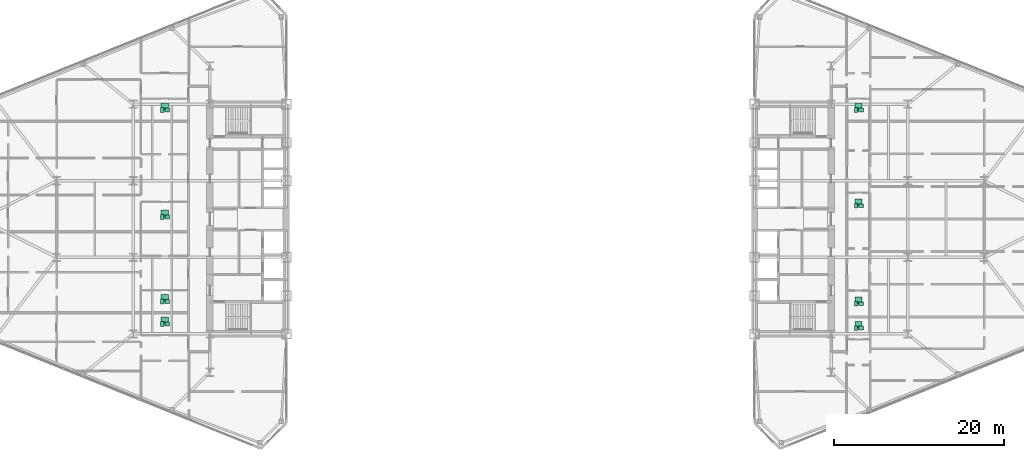
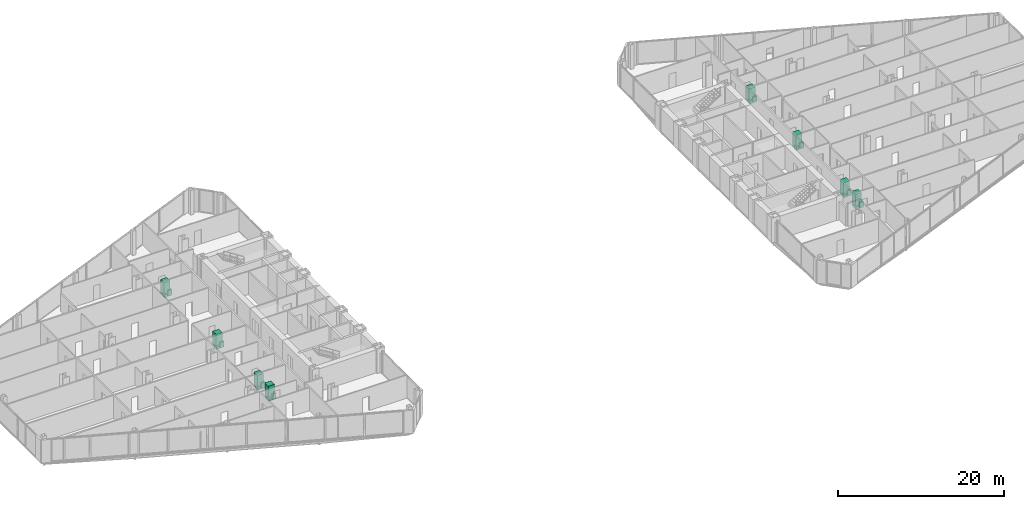
# One storey, part 25 of 25: 24 sanitary terminals.
"""IFC4 building model written with IfcOpenShell, lengths in metres."""

from ifc_helpers import new_model, si_unit, direction, frame, origin, origin_2d, place, context, subcontext, project, spatial, rectangle, extrude, source, transform, mapped, material, type_object, type_shapes, element, save


model = new_model("IFC4")

# Units and contexts
model_context = context("Model", 3, precision=1e-05, world=origin(), true_north=direction((0.0, 1.0)))
body_context = subcontext(model_context, "Body", "Model", "MODEL_VIEW")
ifc_project = project(units=[si_unit("LENGTHUNIT", "METRE"), si_unit("AREAUNIT", "SQUARE_METRE"), si_unit("VOLUMEUNIT", "CUBIC_METRE"), si_unit("PLANEANGLEUNIT", "RADIAN"), si_unit("MASSUNIT", "GRAM", prefix="KILO")], contexts=[model_context])

# Site, building, storey
site_placement = place(None, origin())
site = spatial("IfcSite", under=ifc_project, at=site_placement, CompositionType="ELEMENT")
building_placement = place(site_placement, origin())
building = spatial("IfcBuilding", under=site, at=building_placement, Name="Seokmaru Belvedere", CompositionType="ELEMENT")
storey_placement = place(building_placement, frame((0.0, 0.0, 40.5)))
storey = spatial("IfcBuildingStorey", under=building, at=storey_placement, Name="L10", CompositionType="ELEMENT", Elevation=40.5)

# Sanitary terminals
ifc_material_1 = material(Name="Vitreous China Sanitaryware")
sanitary_terminal_type_1 = type_object("IfcSanitaryTerminalType", Name="Wall-Hung Vitreous China WC Pan", PredefinedType="TOILETPAN", material=ifc_material_1)
shared_shape_1 = source(origin(), body_context, "Body", "SweptSolid", [
    extrude(rectangle(XDim=0.3798828125, YDim=0.56005859375, at=origin_2d()), origin(), (0.0, 0.0, 1.0), 0.419921875),
])
type_shapes(sanitary_terminal_type_1, [shared_shape_1])
for number, where, z_axis, x_axis, name in (
    (1, (-42.10009765625, -12.322021484375, 0.0), (0.0, 0.0, 1.0), (1.0, 0.0, 0.0), "L10 Vitreous China WC 0057"),
    (2, (-42.10009765625, -9.677978515625, 0.0), (0.0, 0.0, 1.0), (1.0, 0.0, 0.0), "L10 Vitreous China WC 0058"),
    (3, (-42.10009765625, 0.25390625, 0.0), (0.0, 0.0, 1.0), (1.0, 0.0, 0.0), "L10 Vitreous China WC 0059"),
    (4, (-42.10009765625, 12.822021484375, 0.0), (0.0, 0.0, 1.0), (1.0, 0.0, 0.0), "L10 Vitreous China WC 0060"),
    (5, (39.425048828125, -12.822021484375, 0.0), (0.0, 0.0, 1.0), (1.0, 0.0, 0.0), "L10 Vitreous China WC 0061"),
    (6, (39.425048828125, -9.947998046875, 0.0), (0.0, 0.0, 1.0), (1.0, 0.0, 0.0), "L10 Vitreous China WC 0062"),
    (7, (39.425048828125, 1.552001953125, 0.0), (0.0, 0.0, 1.0), (1.0, 0.0, 0.0), "L10 Vitreous China WC 0063"),
    (8, (39.425048828125, 12.822021484375, 0.0), (0.0, 0.0, 1.0), (1.0, 0.0, 0.0), "L10 Vitreous China WC 0064"),
):
    element("IfcSanitaryTerminal", number, at=place(storey_placement, frame(where, z_axis=z_axis, x_axis=x_axis)), inside=storey, type_object=sanitary_terminal_type_1, Name=name, PredefinedType="TOILETPAN", context=body_context, shape_type="MappedRepresentation", body=[
        mapped(shared_shape_1, transform((0.0, 0.0, 0.0), scale=1.0)),
    ])
sanitary_terminal_type_2 = type_object("IfcSanitaryTerminalType", Name="Countertop Ceramic Washhand Basin", PredefinedType="WASHHANDBASIN", material=ifc_material_1)
shared_shape_2 = source(origin(), body_context, "Body", "SweptSolid", [
    extrude(rectangle(XDim=0.550048828125, YDim=0.449951171875, at=origin_2d()), origin(), (0.0, 0.0, 1.0), 0.820068359375),
])
type_shapes(sanitary_terminal_type_2, [shared_shape_2])
for number, where, z_axis, x_axis, name in (
    (9, (-41.5, -12.322021484375, 0.0), (0.0, 0.0, 1.0), (1.0, 0.0, 0.0), "L10 Ceramic Washhand Basin 0057"),
    (10, (-41.5, -9.677978515625, 0.0), (0.0, 0.0, 1.0), (1.0, 0.0, 0.0), "L10 Ceramic Washhand Basin 0058"),
    (11, (-41.5, 0.25390625, 0.0), (0.0, 0.0, 1.0), (1.0, 0.0, 0.0), "L10 Ceramic Washhand Basin 0059"),
    (12, (-41.5, 12.822021484375, 0.0), (0.0, 0.0, 1.0), (1.0, 0.0, 0.0), "L10 Ceramic Washhand Basin 0060"),
    (13, (40.02490234375, -12.822021484375, 0.0), (0.0, 0.0, 1.0), (1.0, 0.0, 0.0), "L10 Ceramic Washhand Basin 0061"),
    (14, (40.02490234375, -9.947998046875, 0.0), (0.0, 0.0, 1.0), (1.0, 0.0, 0.0), "L10 Ceramic Washhand Basin 0062"),
    (15, (40.02490234375, 1.552001953125, 0.0), (0.0, 0.0, 1.0), (1.0, 0.0, 0.0), "L10 Ceramic Washhand Basin 0063"),
    (16, (40.02490234375, 12.822021484375, 0.0), (0.0, 0.0, 1.0), (1.0, 0.0, 0.0), "L10 Ceramic Washhand Basin 0064"),
):
    element("IfcSanitaryTerminal", number, at=place(storey_placement, frame(where, z_axis=z_axis, x_axis=x_axis)), inside=storey, type_object=sanitary_terminal_type_2, Name=name, PredefinedType="WASHHANDBASIN", context=body_context, shape_type="MappedRepresentation", body=[
        mapped(shared_shape_2, transform((0.0, 0.0, 0.0), scale=1.0)),
    ])
ifc_material_2 = material(Name="Stainless Steel 316", Category="steel")
sanitary_terminal_type_3 = type_object("IfcSanitaryTerminalType", Name="Walk-In Thermostatic Rain Shower Enclosure", PredefinedType="SHOWER", material=ifc_material_2)
shared_shape_3 = source(origin(), body_context, "Body", "SweptSolid", [
    extrude(rectangle(XDim=0.85009765625, YDim=0.85009765625, at=origin_2d()), origin(), (0.0, 0.0, 1.0), 2.050048828125),
])
type_shapes(sanitary_terminal_type_3, [shared_shape_3])
for number, where, z_axis, x_axis, name in (
    (17, (-41.800048828125, -11.94189453125, 0.0), (0.0, 0.0, 1.0), (1.0, 0.0, 0.0), "L10 Walk-In Shower 0057"),
    (18, (-41.800048828125, -9.297119140625, 0.0), (0.0, 0.0, 1.0), (1.0, 0.0, 0.0), "L10 Walk-In Shower 0058"),
    (19, (-41.800048828125, 0.634033203125, 0.0), (0.0, 0.0, 1.0), (1.0, 0.0, 0.0), "L10 Walk-In Shower 0059"),
    (20, (-41.800048828125, 13.202880859375, 0.0), (0.0, 0.0, 1.0), (1.0, 0.0, 0.0), "L10 Walk-In Shower 0060"),
    (21, (39.72509765625, -12.44189453125, 0.0), (0.0, 0.0, 1.0), (1.0, 0.0, 0.0), "L10 Walk-In Shower 0061"),
    (22, (39.72509765625, -9.568115234375, 0.0), (0.0, 0.0, 1.0), (1.0, 0.0, 0.0), "L10 Walk-In Shower 0062"),
    (23, (39.72509765625, 1.931884765625, 0.0), (0.0, 0.0, 1.0), (1.0, 0.0, 0.0), "L10 Walk-In Shower 0063"),
    (24, (39.72509765625, 13.202880859375, 0.0), (0.0, 0.0, 1.0), (1.0, 0.0, 0.0), "L10 Walk-In Shower 0064"),
):
    element("IfcSanitaryTerminal", number, at=place(storey_placement, frame(where, z_axis=z_axis, x_axis=x_axis)), inside=storey, type_object=sanitary_terminal_type_3, Name=name, PredefinedType="SHOWER", context=body_context, shape_type="MappedRepresentation", body=[
        mapped(shared_shape_3, transform((0.0, 0.0, 0.0), scale=1.0)),
    ])

save(model, "model.ifc")
